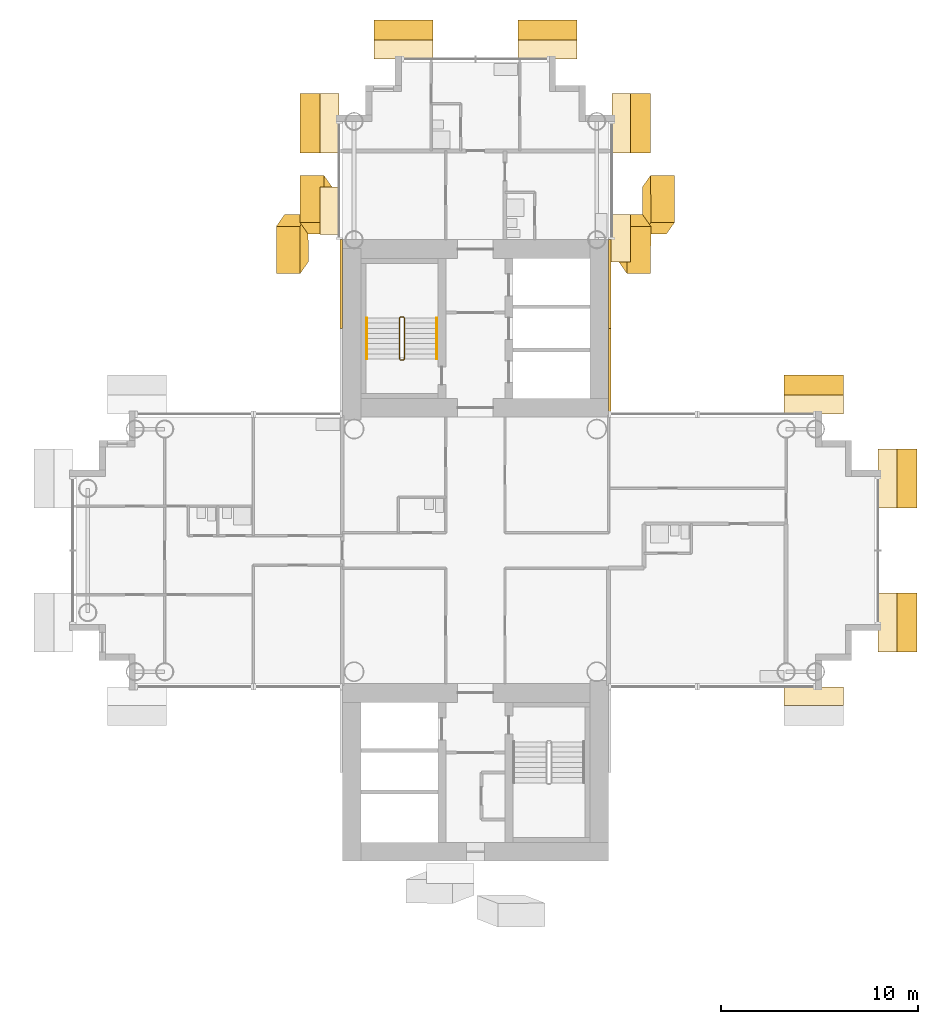
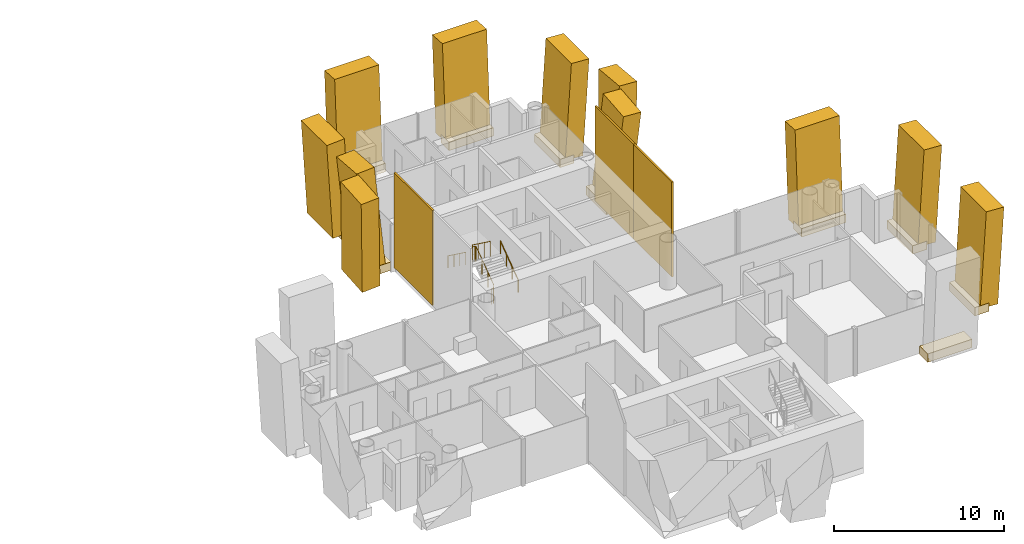
# One storey, part 20 of 21: 24 coverings, 3 railings.
"""IFC4 building model written with IfcOpenShell, lengths in metres."""

from ifc_helpers import new_model, si_unit, direction, frame, origin, origin_2d, place, context, subcontext, project, spatial, rectangle, circle, extrude, material, layer, layer_set, material_profile, profile_set, type_object, element, save


model = new_model("IFC4")

# Units and contexts
model_context = context("Model", 3, precision=1e-05, world=origin(), true_north=direction((0.0, 1.0)))
body_context = subcontext(model_context, "Body", "Model", "MODEL_VIEW")
ifc_project = project(units=[si_unit("LENGTHUNIT", "METRE"), si_unit("AREAUNIT", "SQUARE_METRE"), si_unit("VOLUMEUNIT", "CUBIC_METRE"), si_unit("PLANEANGLEUNIT", "RADIAN"), si_unit("MASSUNIT", "GRAM", prefix="KILO")], contexts=[model_context])

# Site, building, storey
site_placement = place(None, origin())
site = spatial("IfcSite", under=ifc_project, at=site_placement, CompositionType="ELEMENT")
building_placement = place(site_placement, origin())
building = spatial("IfcBuilding", under=site, at=building_placement, Name="Ipe Terrace Towers", CompositionType="ELEMENT")
storey_placement = place(building_placement, frame((0.0, 0.0, 107.199951171875)))
storey = spatial("IfcBuildingStorey", under=building, at=storey_placement, Name="L29", CompositionType="ELEMENT", Elevation=107.199951171875)

# Coverings
ifc_material_1 = material(Name="Concrete C50/60 precast, buff finish", Category="concrete")
ifc_layer = layer(ifc_material_1, 0.1201171875)
ifc_layer_set = layer_set([ifc_layer], Name="STONE CORE CLADDING 120")
covering_type_1 = type_object("IfcCoveringType", Name="STONE CORE CLADDING 120", PredefinedType="CLADDING", material=ifc_layer_set)
covering_1_placement = place(storey_placement, frame((29.18994140625, 13.5, 0.0), z_axis=(0.0, 0.0, 1.0), x_axis=(0.0, -1.0, 0.0)))
element("IfcCovering", 1, at=covering_1_placement, inside=storey, type_object=covering_type_1, Name="stone core cladding", PredefinedType="CLADDING", context=body_context, shape_type="SweptSolid", body=[
    extrude(rectangle(XDim=4.5009765625, YDim=0.1201171875, at=origin_2d()), origin(), (0.0, 0.0, 1.0), 6.800048828125),
])
covering_2_placement = place(storey_placement, frame((42.81005859375, 9.0, 0.0), z_axis=(0.0, 0.0, 1.0), x_axis=(0.0, 1.0, 0.0)))
element("IfcCovering", 2, at=covering_2_placement, inside=storey, type_object=covering_type_1, Name="stone core cladding", PredefinedType="CLADDING", context=body_context, shape_type="SweptSolid", body=[
    extrude(rectangle(XDim=4.5, YDim=0.1201171875, at=origin_2d()), origin(), (0.0, 0.0, 1.0), 6.800048828125),
])
covering_3_placement = place(storey_placement, frame((42.81005859375, 13.5, 0.0), z_axis=(0.0, 0.0, 1.0), x_axis=(0.0, 1.0, 0.0)))
element("IfcCovering", 3, at=covering_3_placement, inside=storey, type_object=covering_type_1, Name="stone core cladding", PredefinedType="CLADDING", context=body_context, shape_type="SweptSolid", body=[
    extrude(rectangle(XDim=4.5009765625, YDim=0.1201171875, at=origin_2d()), origin(), (0.0, 0.0, 1.0), 6.800048828125),
])
ifc_material_2 = material(Name="Concrete C50/60 precast, buff finish", Category="concrete")
ifc_material_profile_1 = material_profile(ifc_material_2, rectangle(XDim=2.39990234375, YDim=1.199951171875, at=origin_2d()), Name="STONE FIN 2400 x 1200")
ifc_profile_set_1 = profile_set([ifc_material_profile_1], Name="Concrete C50/60 precast, buff finish")
covering_type_2 = type_object("IfcCoveringType", Name="STONE FIN 2400 x 1200", PredefinedType="USERDEFINED", material=ifc_profile_set_1)
for number, where, z_axis, x_axis, name in (
    (4, (26.927001953125, 15.823974609375, 0.0), (-0.060691853614, -0.086717948488, 0.994382469835), (0.005282974506, -0.996232903196, -0.086556875927), "stone fin"),
    (5, (28.126953125, 17.22607421875, 0.0), (-0.060691853614, 0.086717948488, 0.994382469835), (-0.005282974506, -0.996232903196, 0.086556875927), "stone fin"),
    (6, (43.873046875, 15.823974609375, 0.0), (0.060691853614, -0.086717948488, 0.994382469835), (0.005282974506, 0.996232903196, 0.086556875927), "stone fin"),
    (7, (45.072998046875, 17.22607421875, 0.0), (0.060691853614, 0.086717948488, 0.994382469835), (-0.005282974506, 0.996232903196, -0.086556875927), "stone fin"),
):
    element("IfcCovering", number, at=place(storey_placement, frame(where, z_axis=z_axis, x_axis=x_axis)), inside=storey, type_object=covering_type_2, Name=name, ObjectType="FIN", PredefinedType="USERDEFINED", context=body_context, shape_type="SweptSolid", body=[
        extrude(rectangle(XDim=2.39990234375, YDim=1.199951171875, at=origin_2d()), origin(), (0.0, 0.0, 1.0), 6.83837890625),
    ])
ifc_material_3 = material(Name="Concrete C50/60 precast, buff finish", Category="concrete")
ifc_material_profile_2 = material_profile(ifc_material_3, rectangle(XDim=3.0, YDim=1.199951171875, at=origin_2d()), Name="STONE FIN CORNER 3000 x 1200")
ifc_profile_set_2 = profile_set([ifc_material_profile_2], Name="Concrete C50/60 precast, buff finish")
covering_type_3 = type_object("IfcCoveringType", Name="STONE FIN CORNER 3000 x 1200", PredefinedType="USERDEFINED", material=ifc_profile_set_2)
for number, where, z_axis, x_axis, name in (
    (8, (28.126953125, 21.64990234375, 0.0), (-0.060921350238, 0.0, 0.998142569519), (0.0, -1.0, 0.0), "stone fin"),
    (9, (32.35009765625, 25.873046875, 0.0), (0.0, 0.060921350238, 0.998142569519), (-1.0, 0.0, 0.0), "stone fin"),
    (10, (39.64990234375, 25.873046875, 0.0), (0.0, 0.060921350238, 0.998142569519), (-1.0, 0.0, 0.0), "stone fin"),
    (11, (43.873046875, 21.64990234375, 0.0), (0.060921350238, 0.0, 0.998142569519), (0.0, 1.0, 0.0), "stone fin"),
    (12, (53.14990234375, 7.873046875, 0.0), (0.0, 0.060921350238, 0.998142569519), (-1.0, 0.0, 0.0), "stone fin"),
    (13, (57.373046875, -3.64990234375, 0.0), (0.060921350238, 0.0, 0.998142569519), (0.0, 1.0, 0.0), "stone fin"),
    (14, (57.373046875, 3.64990234375, 0.0), (0.060921350238, 0.0, 0.998142569519), (0.0, 1.0, 0.0), "stone fin"),
):
    element("IfcCovering", number, at=place(storey_placement, frame(where, z_axis=z_axis, x_axis=x_axis)), inside=storey, type_object=covering_type_3, Name=name, ObjectType="FIN", PredefinedType="USERDEFINED", context=body_context, shape_type="SweptSolid", body=[
        extrude(rectangle(XDim=3.0, YDim=1.199951171875, at=origin_2d()), origin(), (0.0, 0.0, 1.0), 6.812744140625),
    ])
ifc_material_4 = material(Name="Concrete C50/60 precast, buff finish", Category="concrete")
covering_type_4 = type_object("IfcCoveringType", Name="STONE FIN SHELF 2400 x 600", PredefinedType="CLADDING", material=ifc_material_4)
covering_4_placement = place(storey_placement, frame((28.60498046875, 17.22607421875, -0.35009765625), z_axis=(0.0, 0.0, 1.0), x_axis=(0.0, -1.0, 0.0)))
element("IfcCovering", 15, at=covering_4_placement, inside=storey, type_object=covering_type_4, Name="stone fin shelf", PredefinedType="CLADDING", context=body_context, shape_type="SweptSolid", body=[
    extrude(rectangle(XDim=2.39990234375, YDim=0.95703125, at=origin_2d()), origin(), (0.0, 0.0, 1.0), 0.60009765625),
])
covering_5_placement = place(storey_placement, frame((43.366943359375, 15.823974609375, -0.35009765625), z_axis=(0.0, 0.0, 1.0), x_axis=(0.0, 1.0, 0.0)))
element("IfcCovering", 16, at=covering_5_placement, inside=storey, type_object=covering_type_4, Name="stone fin shelf", PredefinedType="CLADDING", context=body_context, shape_type="SweptSolid", body=[
    extrude(rectangle(XDim=2.39990234375, YDim=1.012939453125, at=origin_2d()), origin(), (0.0, 0.0, 1.0), 0.60009765625),
])
ifc_material_5 = material(Name="Concrete C50/60 precast, buff finish", Category="concrete")
covering_type_5 = type_object("IfcCoveringType", Name="STONE FIN SHELF 3000 x 600", PredefinedType="CLADDING", material=ifc_material_5)
for number, where, z_axis, x_axis, name in (
    (17, (28.60498046875, 21.64990234375, -0.35009765625), (0.0, 0.0, 1.0), (0.0, -1.0, 0.0), "stone fin shelf"),
    (18, (32.35009765625, 25.39501953125, -0.35009765625), (0.0, 0.0, 1.0), (-1.0, 0.0, 0.0), "stone fin shelf"),
    (19, (39.64990234375, 25.39501953125, -0.35009765625), (0.0, 0.0, 1.0), (-1.0, 0.0, 0.0), "stone fin shelf"),
    (20, (43.39501953125, 21.64990234375, -0.35009765625), (0.0, 0.0, 1.0), (0.0, 1.0, 0.0), "stone fin shelf"),
    (21, (53.14990234375, -7.39404296875, -0.35009765625), (0.0, 0.0, 1.0), (1.0, 0.0, 0.0), "stone fin shelf"),
    (22, (53.14990234375, 7.39404296875, -0.35009765625), (0.0, 0.0, 1.0), (-1.0, 0.0, 0.0), "stone fin shelf"),
    (23, (56.89501953125, -3.64990234375, -0.35009765625), (0.0, 0.0, 1.0), (0.0, 1.0, 0.0), "stone fin shelf"),
    (24, (56.89501953125, 3.64990234375, -0.35009765625), (0.0, 0.0, 1.0), (0.0, 1.0, 0.0), "stone fin shelf"),
):
    element("IfcCovering", number, at=place(storey_placement, frame(where, z_axis=z_axis, x_axis=x_axis)), inside=storey, type_object=covering_type_5, Name=name, PredefinedType="CLADDING", context=body_context, shape_type="SweptSolid", body=[
        extrude(rectangle(XDim=3.0, YDim=0.95703125, at=origin_2d()), origin(), (0.0, 0.0, 1.0), 0.60009765625),
    ])

# Railings
ifc_material_6 = material(Name="Steel S355", Category="steel")
railing_type_1 = type_object("IfcRailingType", Name="Stair guard 1100", PredefinedType="GUARDRAIL", material=ifc_material_6)
railing_1_placement = place(storey_placement, frame((32.199951171875, 9.64990234375, 0.0)))
element("IfcRailing", 25, at=railing_1_placement, inside=storey, type_object=railing_type_1, Name="L29 T2-ST1 stair guard 1", PredefinedType="GUARDRAIL", context=body_context, shape_type="SweptSolid", body=[
    extrude(circle(Radius=0.02392578125, at=origin_2d()), frame((0.0, 0.0, 1.076171875), z_axis=(1.0, 0.0, 0.0), x_axis=(0.0, 1.0, 0.0)), (0.0, 0.0, 1.0), 0.150146484375),
    extrude(circle(Radius=0.02392578125, at=origin_2d()), frame((0.150146484375, 0.0, 1.076171875), z_axis=(0.246893586699, 0.248103849378, 0.936743314239), x_axis=(-0.708833529934, 0.705375805398, 0.0)), (0.0, 0.0, 1.0), 0.20166015625),
    extrude(circle(Radius=0.02392578125, at=origin_2d()), frame((0.199951171875, 0.050048828125, 1.26513671875), z_axis=(0.0, 0.809068575486, 0.587714250432), x_axis=(-1.0, 0.0, 0.0)), (0.0, 0.0, 1.0), 2.571044921875),
    extrude(circle(Radius=0.02392578125, at=origin_2d()), frame((0.199951171875, 2.130126953125, 2.77587890625), z_axis=(-0.705375805398, 0.708833529934, 0.0), x_axis=(-0.708833529934, -0.705375805398, 0.0)), (0.0, 0.0, 1.0), 0.070556640625),
    extrude(circle(Radius=0.02392578125, at=origin_2d()), frame((0.150146484375, 2.18017578125, 2.77587890625), z_axis=(-1.0, 0.0, 0.0), x_axis=(0.0, -1.0, 0.0)), (0.0, 0.0, 1.0), 0.150146484375),
    extrude(circle(Radius=0.02392578125, at=origin_2d()), frame((0.0, 2.18017578125, 2.77587890625), z_axis=(-0.248029566107, -0.248029566107, 0.936462849596), x_axis=(0.707106781187, -0.707106781187, 0.0)), (0.0, 0.0, 1.0), 0.201904296875),
    extrude(circle(Radius=0.02392578125, at=origin_2d()), frame((-0.050048828125, 2.130126953125, 2.96484375), z_axis=(0.0, -0.809023421508, 0.587776406001), x_axis=(1.0, 0.0, 0.0)), (0.0, 0.0, 1.0), 2.571044921875),
    extrude(circle(Radius=0.02099609375, at=origin_2d()), origin(), (0.0, 0.0, 1.0), 1.052001953125),
    extrude(circle(Radius=0.02099609375, at=origin_2d()), frame((0.150146484375, 0.0, 0.0)), (0.0, 0.0, 1.0), 1.052001953125),
    extrude(circle(Radius=0.02099609375, at=origin_2d()), frame((0.199951171875, 0.050048828125, 0.18896484375)), (0.0, 0.0, 1.0), 1.052001953125),
    extrude(circle(Radius=0.02099609375, at=origin_2d()), frame((0.199951171875, 0.743408203125, 0.692626953125)), (0.0, 0.0, 1.0), 1.052001953125),
    extrude(circle(Radius=0.02099609375, at=origin_2d()), frame((0.199951171875, 1.436767578125, 1.1962890625)), (0.0, 0.0, 1.0), 1.052001953125),
    extrude(circle(Radius=0.02099609375, at=origin_2d()), frame((0.199951171875, 2.130126953125, 1.699951171875)), (0.0, 0.0, 1.0), 1.052001953125),
    extrude(circle(Radius=0.02099609375, at=origin_2d()), frame((0.150146484375, 2.18017578125, 1.699951171875)), (0.0, 0.0, 1.0), 1.052001953125),
    extrude(circle(Radius=0.02099609375, at=origin_2d()), frame((0.0, 2.18017578125, 1.699951171875)), (0.0, 0.0, 1.0), 1.052001953125),
    extrude(circle(Radius=0.02099609375, at=origin_2d()), frame((-0.050048828125, 2.130126953125, 1.888916015625)), (0.0, 0.0, 1.0), 1.052001953125),
    extrude(circle(Radius=0.02099609375, at=origin_2d()), frame((-0.050048828125, 1.436767578125, 2.392578125)), (0.0, 0.0, 1.0), 1.052001953125),
    extrude(circle(Radius=0.02099609375, at=origin_2d()), frame((-0.050048828125, 0.743408203125, 2.896484375)), (0.0, 0.0, 1.0), 1.052001953125),
    extrude(circle(Radius=0.02099609375, at=origin_2d()), frame((-0.050048828125, 0.050048828125, 3.400146484375)), (0.0, 0.0, 1.0), 1.052001953125),
])
ifc_material_7 = material(Name="Stainless steel grade 304", Category="steel")
railing_type_2 = type_object("IfcRailingType", Name="Stair handrail 900", PredefinedType="HANDRAIL", material=ifc_material_7)
railing_2_placement = place(storey_placement, frame((34.050048828125, 9.699951171875, 0.18896484375)))
element("IfcRailing", 26, at=railing_2_placement, inside=storey, type_object=railing_type_2, Name="L29 T2-ST1 stair handrail 1", PredefinedType="HANDRAIL", context=body_context, shape_type="SweptSolid", body=[
    extrude(circle(Radius=0.02392578125, at=origin_2d()), frame((0.0, 0.0, 0.8759765625), z_axis=(0.0, 0.809068575486, 0.587714250432), x_axis=(-1.0, 0.0, 0.0)), (0.0, 0.0, 1.0), 2.571044921875),
    extrude(circle(Radius=0.02099609375, at=origin_2d()), origin(), (0.0, 0.0, 1.0), 0.851806640625),
    extrude(circle(Radius=0.02099609375, at=origin_2d()), frame((0.0, 0.693359375, 0.503662109375)), (0.0, 0.0, 1.0), 0.851806640625),
    extrude(circle(Radius=0.02099609375, at=origin_2d()), frame((0.0, 1.38671875, 1.00732421875)), (0.0, 0.0, 1.0), 0.851806640625),
    extrude(circle(Radius=0.02099609375, at=origin_2d()), frame((0.0, 2.080078125, 1.510986328125)), (0.0, 0.0, 1.0), 0.851806640625),
])
railing_3_placement = place(storey_placement, frame((30.5, 11.780029296875, 1.888916015625)))
element("IfcRailing", 27, at=railing_3_placement, inside=storey, type_object=railing_type_2, Name="L29 T2-ST1 stair handrail 2", PredefinedType="HANDRAIL", context=body_context, shape_type="SweptSolid", body=[
    extrude(circle(Radius=0.02392578125, at=origin_2d()), frame((0.0, 0.0, 0.8759765625), z_axis=(0.0, -0.809023421508, 0.587776406001), x_axis=(1.0, 0.0, 0.0)), (0.0, 0.0, 1.0), 2.571044921875),
    extrude(circle(Radius=0.02099609375, at=origin_2d()), origin(), (0.0, 0.0, 1.0), 0.851806640625),
    extrude(circle(Radius=0.02099609375, at=origin_2d()), frame((0.0, -0.693359375, 0.503662109375)), (0.0, 0.0, 1.0), 0.851806640625),
    extrude(circle(Radius=0.02099609375, at=origin_2d()), frame((0.0, -1.38671875, 1.007568359375)), (0.0, 0.0, 1.0), 0.851806640625),
    extrude(circle(Radius=0.02099609375, at=origin_2d()), frame((0.0, -2.080078125, 1.51123046875)), (0.0, 0.0, 1.0), 0.851806640625),
])

save(model, "model.ifc")
